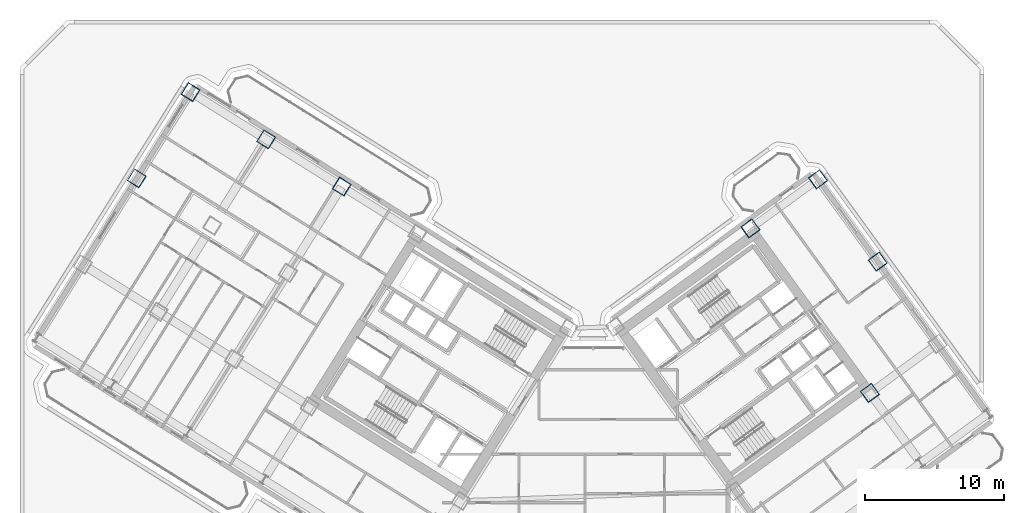
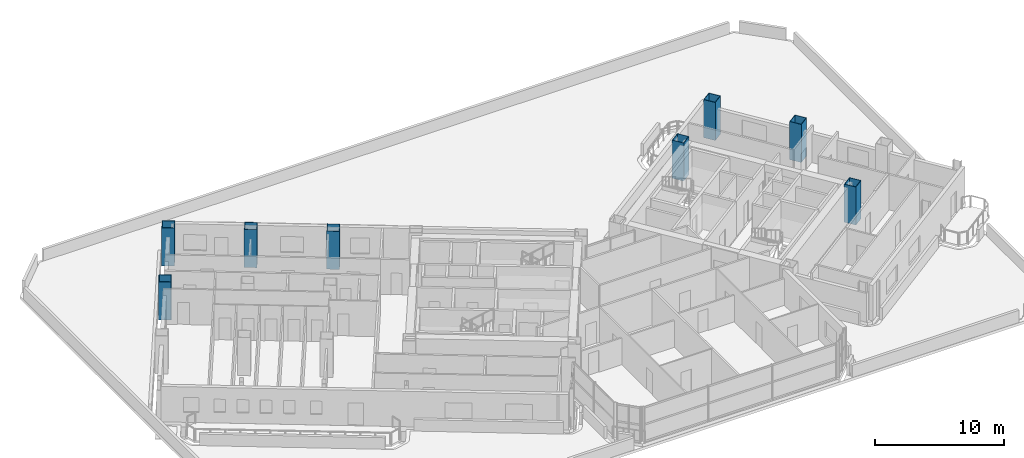
# One storey, part 2 of 28: 8 columns.
"""IFC4 building model written with IfcOpenShell, lengths in metres."""

from ifc_helpers import new_model, si_unit, direction, frame, origin, origin_2d, place, context, subcontext, project, spatial, hollow_rectangle, extrude, source, transform, mapped, material, material_profile, profile_set, type_object, element, save


model = new_model("IFC4")

# Units and contexts
model_context = context("Model", 3, precision=1e-05, world=origin(), true_north=direction((0.0, 1.0)))
body_context = subcontext(model_context, "Body", "Model", "MODEL_VIEW")
ifc_project = project(units=[si_unit("LENGTHUNIT", "METRE"), si_unit("AREAUNIT", "SQUARE_METRE"), si_unit("VOLUMEUNIT", "CUBIC_METRE"), si_unit("PLANEANGLEUNIT", "RADIAN"), si_unit("MASSUNIT", "GRAM", prefix="KILO")], contexts=[model_context])

# Site, building, storey
site_placement = place(None, origin())
site = spatial("IfcSite", under=ifc_project, at=site_placement, CompositionType="ELEMENT")
building_placement = place(site_placement, origin())
building = spatial("IfcBuilding", under=site, at=building_placement, Name="Tlacorven Tower", CompositionType="ELEMENT")
storey_placement = place(building_placement, frame((0.0, 0.0, 24.0)))
storey = spatial("IfcBuildingStorey", under=building, at=storey_placement, Name="L05", CompositionType="ELEMENT", Elevation=24.0)

# Columns
ifc_material = material(Name="Steel S460M", Category="steel")
ifc_material_profile = material_profile(ifc_material, hollow_rectangle(XDim=1.0, YDim=1.0, WallThickness=0.0400390625, at=origin_2d()), Name="BOX 1000X1000X40")
ifc_profile_set = profile_set([ifc_material_profile], Name="Steel S460M")
column_type = type_object("IfcColumnType", Name="COL-TWR-S1", PredefinedType="COLUMN", material=ifc_profile_set)
shared_shape = source(origin(), body_context, "Body", "SweptSolid", [
    extrude(hollow_rectangle(XDim=1.0, YDim=1.0, WallThickness=0.0400390625, at=origin_2d()), origin(), (0.0, 0.0, 1.0), 3.60009765625),
])
for number, where, z_axis, x_axis, name in (
    (1, (24.50048828125, 34.642822265625, 0.0), (0.0, 0.0, 1.0), (-0.848048096156, 0.529919264233, 0.0), "L05 column COL-L05-W4-1"),
    (2, (19.072998046875, 38.034423828125, 0.0), (0.0, 0.0, 1.0), (-0.848048096156, 0.529919264233, 0.0), "L05 column COL-L05-W5-1"),
    (3, (13.6455078125, 41.42578125, 0.0), (0.0, 0.0, 1.0), (-0.848048096156, 0.529919264233, 0.0), "L05 column COL-L05-W6-1"),
    (4, (9.777099609375, 35.235107421875, 0.0), (0.0, 0.0, 1.0), (-0.848048096156, 0.529919264233, 0.0), "L05 column COL-L05-W6-2"),
    (5, (62.41357421875, 19.826904296875, 0.0), (0.0, 0.0, 1.0), (0.809016994375, 0.587785252292, 0.0), "L05 column COL-L05-E3-2"),
    (6, (53.83203125, 31.638427734375, 0.0), (0.0, 0.0, 1.0), (0.809016994375, 0.587785252292, 0.0), "L05 column COL-L05-E3-4"),
    (7, (62.976806640625, 29.25927734375, 0.0), (0.0, 0.0, 1.0), (0.809016994375, 0.587785252292, 0.0), "L05 column COL-L05-E4-3"),
    (8, (58.68603515625, 35.165283203125, 0.0), (0.0, 0.0, 1.0), (0.809016994375, 0.587785252292, 0.0), "L05 column COL-L05-E4-4"),
):
    element("IfcColumn", number, at=place(storey_placement, frame(where, z_axis=z_axis, x_axis=x_axis)), inside=storey, type_object=column_type, Name=name, PredefinedType="COLUMN", context=body_context, shape_type="MappedRepresentation", body=[
        mapped(shared_shape, transform((0.0, 0.0, 0.0), scale=1.0)),
    ])

save(model, "model.ifc")
